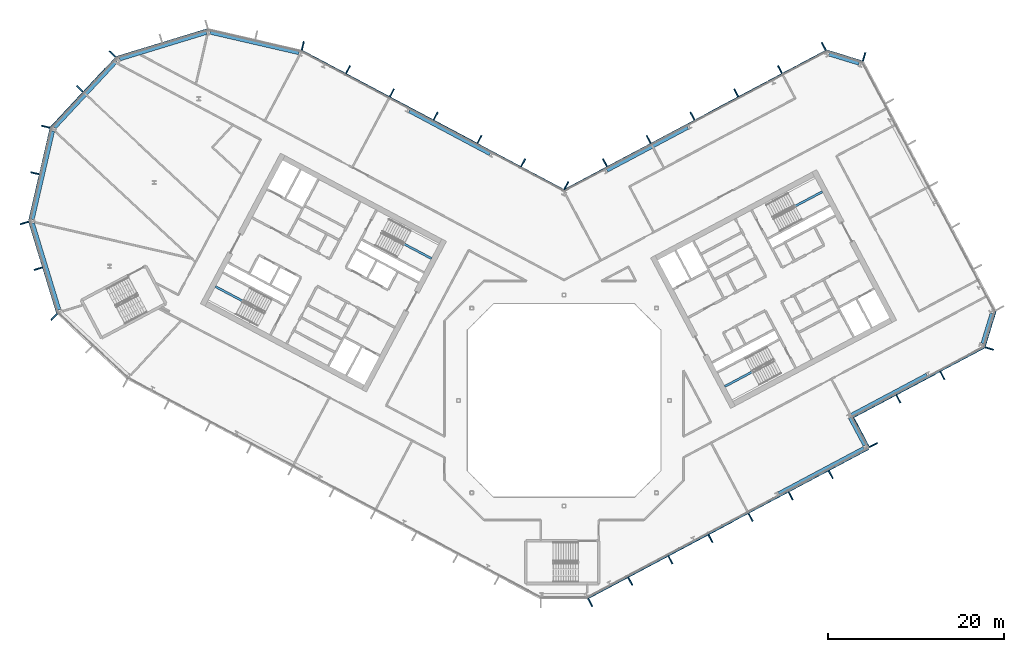
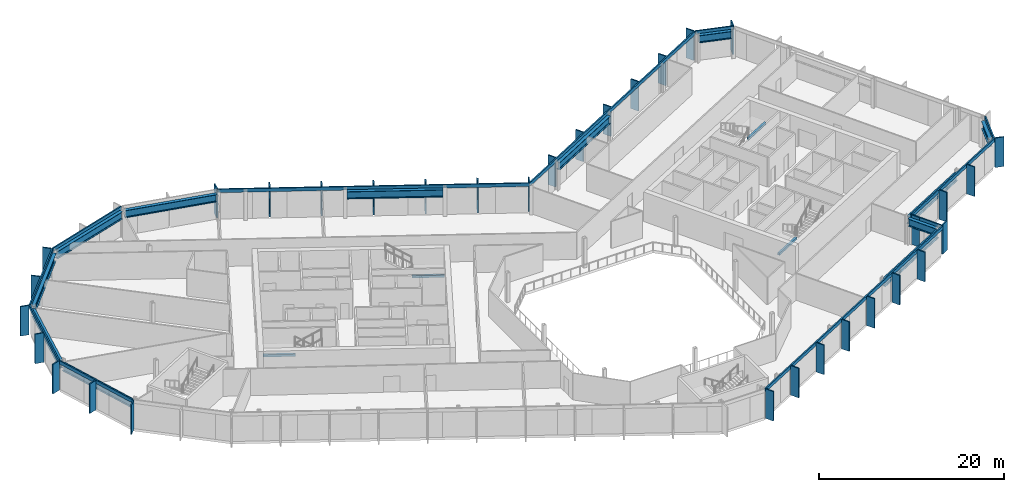
# One storey, part 9 of 27: 44 members, 16 beams, 13 elements without a shape of their own.
"""IFC4 building model written with IfcOpenShell, lengths in metres."""

from ifc_helpers import new_model, si_unit, direction, frame, origin, origin_2d, place, context, subcontext, project, spatial, rectangle, i_section, extrude, material, layer, layer_set, material_profile, profile_set, type_object, element, aggregate, save


model = new_model("IFC4")

# Units and contexts
model_context = context("Model", 3, precision=1e-05, world=origin(), true_north=direction((0.0, 1.0)))
body_context = subcontext(model_context, "Body", "Model", "MODEL_VIEW")
ifc_project = project(units=[si_unit("LENGTHUNIT", "METRE"), si_unit("AREAUNIT", "SQUARE_METRE"), si_unit("VOLUMEUNIT", "CUBIC_METRE"), si_unit("PLANEANGLEUNIT", "RADIAN"), si_unit("MASSUNIT", "GRAM", prefix="KILO")], contexts=[model_context])

# Site, building, storey
site_placement = place(None, origin())
site = spatial("IfcSite", under=ifc_project, at=site_placement, CompositionType="ELEMENT")
building_placement = place(site_placement, origin())
building = spatial("IfcBuilding", under=site, at=building_placement, Name="Cormorant Relay Tower", CompositionType="ELEMENT")
storey_placement = place(building_placement, frame((0.0, 0.0, 216.89990234375)))
storey = spatial("IfcBuildingStorey", under=building, at=storey_placement, Name="L47", CompositionType="ELEMENT", Elevation=216.89990234375)

# Curtain wall, members
ifc_material_1 = material(Name="Aluminium 6063-T6 anodised bronze", Category="aluminium")
ifc_layer = layer(ifc_material_1, 0.199951171875)
ifc_layer_set = layer_set([ifc_layer], Name="CW1 unitised bronze curtain wall with vertical fins")
curtain_wall_type = type_object("IfcCurtainWallType", Name="CW1 unitised bronze curtain wall with vertical fins", PredefinedType="NOTDEFINED", material=ifc_layer_set)
curtain_wall_1_placement = place(storey_placement, origin())
curtain_wall_1 = element("IfcCurtainWall", 1, at=curtain_wall_1_placement, inside=storey, type_object=curtain_wall_type, Name="CW1 curtain wall 2", PredefinedType="NOTDEFINED")
ifc_material_2 = material(Name="Aluminium 6063-T6 anodised bronze", Category="aluminium")
ifc_material_profile_1 = material_profile(ifc_material_2, rectangle(XDim=0.14990234375, YDim=1.0, at=origin_2d()), Name="AL 150x1000")
ifc_profile_set_1 = profile_set([ifc_material_profile_1], Name="Aluminium 6063-T6 anodised bronze")
member_type_1 = type_object("IfcMemberType", Name="CW1 bronze fin mullion 150 x 1000", PredefinedType="MULLION", material=ifc_profile_set_1)
member_1_placement = place(storey_placement, frame((2.9775390625, -22.99365234375, 0.0), z_axis=(0.0, 0.0, 1.0), x_axis=(0.882947592859, 0.469471562786, 0.0)))
member_1 = element("IfcMember", 2, at=member_1_placement, type_object=member_type_1, Name="CW1 fin 2.1", PredefinedType="MULLION", context=body_context, shape_type="SweptSolid", body=[
    extrude(rectangle(XDim=0.14990234375, YDim=1.0, at=origin_2d()), origin(), (0.0, 0.0, 1.0), 3.900146484375),
])
member_2_placement = place(storey_placement, frame((7.539306640625, -20.568115234375, 0.0), z_axis=(0.0, 0.0, 1.0), x_axis=(0.882947592859, 0.469471562786, 0.0)))
member_2 = element("IfcMember", 3, at=member_2_placement, type_object=member_type_1, Name="CW1 fin 2.2", PredefinedType="MULLION", context=body_context, shape_type="SweptSolid", body=[
    extrude(rectangle(XDim=0.14990234375, YDim=1.0, at=origin_2d()), origin(), (0.0, 0.0, 1.0), 3.900146484375),
])
member_3_placement = place(storey_placement, frame((12.10107421875, -18.142578125, 0.0), z_axis=(0.0, 0.0, 1.0), x_axis=(0.882947592859, 0.469471562786, 0.0)))
member_3 = element("IfcMember", 4, at=member_3_placement, type_object=member_type_1, Name="CW1 fin 2.3", PredefinedType="MULLION", context=body_context, shape_type="SweptSolid", body=[
    extrude(rectangle(XDim=0.14990234375, YDim=1.0, at=origin_2d()), origin(), (0.0, 0.0, 1.0), 3.900146484375),
])
member_4_placement = place(storey_placement, frame((16.662841796875, -15.717041015625, 0.0), z_axis=(0.0, 0.0, 1.0), x_axis=(0.882947592859, 0.469471562786, 0.0)))
member_4 = element("IfcMember", 5, at=member_4_placement, type_object=member_type_1, Name="CW1 fin 2.4", PredefinedType="MULLION", context=body_context, shape_type="SweptSolid", body=[
    extrude(rectangle(XDim=0.14990234375, YDim=1.0, at=origin_2d()), origin(), (0.0, 0.0, 1.0), 3.900146484375),
])
member_5_placement = place(storey_placement, frame((21.224609375, -13.29150390625, 0.0), z_axis=(0.0, 0.0, 1.0), x_axis=(0.882947592859, 0.469471562786, 0.0)))
member_5 = element("IfcMember", 6, at=member_5_placement, type_object=member_type_1, Name="CW1 fin 2.5", PredefinedType="MULLION", context=body_context, shape_type="SweptSolid", body=[
    extrude(rectangle(XDim=0.14990234375, YDim=1.0, at=origin_2d()), origin(), (0.0, 0.0, 1.0), 3.900146484375),
])
member_6_placement = place(storey_placement, frame((25.78662109375, -10.865966796875, 0.0), z_axis=(0.0, 0.0, 1.0), x_axis=(0.882947592859, 0.469471562786, 0.0)))
member_6 = element("IfcMember", 7, at=member_6_placement, type_object=member_type_1, Name="CW1 fin 2.6", PredefinedType="MULLION", context=body_context, shape_type="SweptSolid", body=[
    extrude(rectangle(XDim=0.14990234375, YDim=1.0, at=origin_2d()), origin(), (0.0, 0.0, 1.0), 3.900146484375),
])
member_7_placement = place(storey_placement, frame((30.348388671875, -8.440185546875, 0.0), z_axis=(0.0, 0.0, 1.0), x_axis=(0.882947592859, 0.469471562786, 0.0)))
member_7 = element("IfcMember", 8, at=member_7_placement, type_object=member_type_1, Name="CW1 fin 2.7", PredefinedType="MULLION", context=body_context, shape_type="SweptSolid", body=[
    extrude(rectangle(XDim=0.14990234375, YDim=1.0, at=origin_2d()), origin(), (0.0, 0.0, 1.0), 3.900146484375),
])

# Curtain wall, member
curtain_wall_2_placement = place(storey_placement, origin())
curtain_wall_2 = element("IfcCurtainWall", 9, at=curtain_wall_2_placement, inside=storey, type_object=curtain_wall_type, Name="CW1 curtain wall 3", PredefinedType="NOTDEFINED")
member_8_placement = place(storey_placement, frame((35.199462890625, -5.068115234375, 0.0), z_axis=(0.0, 0.0, 1.0), x_axis=(-0.469471562786, 0.882947592859, 0.0)))
member_8 = element("IfcMember", 10, at=member_8_placement, type_object=member_type_1, Name="CW1 fin 3.1", PredefinedType="MULLION", context=body_context, shape_type="SweptSolid", body=[
    extrude(rectangle(XDim=0.14990234375, YDim=1.0, at=origin_2d()), origin(), (0.0, 0.0, 1.0), 3.900146484375),
])

# Curtain wall, members
curtain_wall_3_placement = place(storey_placement, origin())
curtain_wall_3 = element("IfcCurtainWall", 11, at=curtain_wall_3_placement, inside=storey, type_object=curtain_wall_type, Name="CW1 curtain wall 4", PredefinedType="NOTDEFINED")
member_9_placement = place(storey_placement, frame((33.098388671875, -2.44775390625, 0.0), z_axis=(0.0, 0.0, 1.0), x_axis=(0.882947592859, 0.469471562786, 0.0)))
member_9 = element("IfcMember", 12, at=member_9_placement, type_object=member_type_1, Name="CW1 fin 4.1", PredefinedType="MULLION", context=body_context, shape_type="SweptSolid", body=[
    extrude(rectangle(XDim=0.14990234375, YDim=1.0, at=origin_2d()), origin(), (0.0, 0.0, 1.0), 3.900146484375),
])
member_10_placement = place(storey_placement, frame((38.035400390625, 0.177490234375, 0.0), z_axis=(0.0, 0.0, 1.0), x_axis=(0.882947592859, 0.469471562786, 0.0)))
member_10 = element("IfcMember", 13, at=member_10_placement, type_object=member_type_1, Name="CW1 fin 4.2", PredefinedType="MULLION", context=body_context, shape_type="SweptSolid", body=[
    extrude(rectangle(XDim=0.14990234375, YDim=1.0, at=origin_2d()), origin(), (0.0, 0.0, 1.0), 3.900146484375),
])
member_11_placement = place(storey_placement, frame((43.038818359375, 2.837646484375, 0.0), z_axis=(0.0, 0.0, 1.0), x_axis=(0.882947592859, 0.469471562786, 0.0)))
member_11 = element("IfcMember", 14, at=member_11_placement, type_object=member_type_1, Name="CW1 fin 4.3", PredefinedType="MULLION", context=body_context, shape_type="SweptSolid", body=[
    extrude(rectangle(XDim=0.14990234375, YDim=1.0, at=origin_2d()), origin(), (0.0, 0.0, 1.0), 3.900146484375),
])

# Curtain wall, member
curtain_wall_4_placement = place(storey_placement, origin())
curtain_wall_4 = element("IfcCurtainWall", 15, at=curtain_wall_4_placement, inside=storey, type_object=curtain_wall_type, Name="CW1 curtain wall 5", PredefinedType="NOTDEFINED")
member_12_placement = place(storey_placement, frame((48.383056640625, 5.91162109375, 0.0), z_axis=(0.0, 0.0, 1.0), x_axis=(0.292371704723, 0.956304755963, 0.0)))
member_12 = element("IfcMember", 16, at=member_12_placement, type_object=member_type_1, Name="CW1 fin 5.1", PredefinedType="MULLION", context=body_context, shape_type="SweptSolid", body=[
    extrude(rectangle(XDim=0.14990234375, YDim=1.0, at=origin_2d()), origin(), (0.0, 0.0, 1.0), 3.900146484375),
])

curtain_wall_5_placement = place(storey_placement, origin())
curtain_wall_5 = element("IfcCurtainWall", 17, at=curtain_wall_5_placement, inside=storey, type_object=curtain_wall_type, Name="CW1 curtain wall 7", PredefinedType="NOTDEFINED")
member_13_placement = place(storey_placement, frame((34.1357421875, 39.09716796875, 0.0), z_axis=(0.0, 0.0, 1.0), x_axis=(-0.956304755963, 0.292371704723, 0.0)))
member_13 = element("IfcMember", 18, at=member_13_placement, type_object=member_type_1, Name="CW1 fin 7.1", PredefinedType="MULLION", context=body_context, shape_type="SweptSolid", body=[
    extrude(rectangle(XDim=0.14990234375, YDim=1.0, at=origin_2d()), origin(), (0.0, 0.0, 1.0), 3.900146484375),
])

# Curtain wall, members
curtain_wall_6_placement = place(storey_placement, origin())
curtain_wall_6 = element("IfcCurtainWall", 19, at=curtain_wall_6_placement, inside=storey, type_object=curtain_wall_type, Name="CW1 curtain wall 8", PredefinedType="NOTDEFINED")
member_14_placement = place(storey_placement, frame((29.545166015625, 40.2861328125, 0.0), z_axis=(0.0, 0.0, 1.0), x_axis=(-0.882947592859, -0.469471562786, 0.0)))
member_14 = element("IfcMember", 20, at=member_14_placement, type_object=member_type_1, Name="CW1 fin 8.1", PredefinedType="MULLION", context=body_context, shape_type="SweptSolid", body=[
    extrude(rectangle(XDim=0.14990234375, YDim=1.0, at=origin_2d()), origin(), (0.0, 0.0, 1.0), 3.900146484375),
])
member_15_placement = place(storey_placement, frame((24.566162109375, 37.638916015625, 0.0), z_axis=(0.0, 0.0, 1.0), x_axis=(-0.882947592859, -0.469471562786, 0.0)))
member_15 = element("IfcMember", 21, at=member_15_placement, type_object=member_type_1, Name="CW1 fin 8.2", PredefinedType="MULLION", context=body_context, shape_type="SweptSolid", body=[
    extrude(rectangle(XDim=0.14990234375, YDim=1.0, at=origin_2d()), origin(), (0.0, 0.0, 1.0), 3.900146484375),
])
member_16_placement = place(storey_placement, frame((19.587158203125, 34.991455078125, 0.0), z_axis=(0.0, 0.0, 1.0), x_axis=(-0.882947592859, -0.469471562786, 0.0)))
member_16 = element("IfcMember", 22, at=member_16_placement, type_object=member_type_1, Name="CW1 fin 8.3", PredefinedType="MULLION", context=body_context, shape_type="SweptSolid", body=[
    extrude(rectangle(XDim=0.14990234375, YDim=1.0, at=origin_2d()), origin(), (0.0, 0.0, 1.0), 3.900146484375),
])
member_17_placement = place(storey_placement, frame((14.608154296875, 32.343994140625, 0.0), z_axis=(0.0, 0.0, 1.0), x_axis=(-0.882947592859, -0.469471562786, 0.0)))
member_17 = element("IfcMember", 23, at=member_17_placement, type_object=member_type_1, Name="CW1 fin 8.4", PredefinedType="MULLION", context=body_context, shape_type="SweptSolid", body=[
    extrude(rectangle(XDim=0.14990234375, YDim=1.0, at=origin_2d()), origin(), (0.0, 0.0, 1.0), 3.900146484375),
])
member_18_placement = place(storey_placement, frame((9.62939453125, 29.69677734375, 0.0), z_axis=(0.0, 0.0, 1.0), x_axis=(-0.882947592859, -0.469471562786, 0.0)))
member_18 = element("IfcMember", 24, at=member_18_placement, type_object=member_type_1, Name="CW1 fin 8.5", PredefinedType="MULLION", context=body_context, shape_type="SweptSolid", body=[
    extrude(rectangle(XDim=0.14990234375, YDim=1.0, at=origin_2d()), origin(), (0.0, 0.0, 1.0), 3.900146484375),
])
member_19_placement = place(storey_placement, frame((4.650390625, 27.04931640625, 0.0), z_axis=(0.0, 0.0, 1.0), x_axis=(-0.882947592859, -0.469471562786, 0.0)))
member_19 = element("IfcMember", 25, at=member_19_placement, type_object=member_type_1, Name="CW1 fin 8.6", PredefinedType="MULLION", context=body_context, shape_type="SweptSolid", body=[
    extrude(rectangle(XDim=0.14990234375, YDim=1.0, at=origin_2d()), origin(), (0.0, 0.0, 1.0), 3.900146484375),
])

curtain_wall_7_placement = place(storey_placement, origin())
curtain_wall_7 = element("IfcCurtainWall", 26, at=curtain_wall_7_placement, inside=storey, type_object=curtain_wall_type, Name="CW1 curtain wall 9", PredefinedType="NOTDEFINED")
member_20_placement = place(storey_placement, frame((0.262451171875, 24.437255859375, 0.0), z_axis=(0.0, 0.0, 1.0), x_axis=(-0.882947592859, 0.469471562786, 0.0)))
member_20 = element("IfcMember", 27, at=member_20_placement, type_object=member_type_1, Name="CW1 fin 9.1", PredefinedType="MULLION", context=body_context, shape_type="SweptSolid", body=[
    extrude(rectangle(XDim=0.14990234375, YDim=1.0, at=origin_2d()), origin(), (0.0, 0.0, 1.0), 3.900146484375),
])
member_21_placement = place(storey_placement, frame((-4.650390625, 27.04931640625, 0.0), z_axis=(0.0, 0.0, 1.0), x_axis=(-0.882947592859, 0.469471562786, 0.0)))
member_21 = element("IfcMember", 28, at=member_21_placement, type_object=member_type_1, Name="CW1 fin 9.2", PredefinedType="MULLION", context=body_context, shape_type="SweptSolid", body=[
    extrude(rectangle(XDim=0.14990234375, YDim=1.0, at=origin_2d()), origin(), (0.0, 0.0, 1.0), 3.900146484375),
])
member_22_placement = place(storey_placement, frame((-9.62939453125, 29.69677734375, 0.0), z_axis=(0.0, 0.0, 1.0), x_axis=(-0.882947592859, 0.469471562786, 0.0)))
member_22 = element("IfcMember", 29, at=member_22_placement, type_object=member_type_1, Name="CW1 fin 9.3", PredefinedType="MULLION", context=body_context, shape_type="SweptSolid", body=[
    extrude(rectangle(XDim=0.14990234375, YDim=1.0, at=origin_2d()), origin(), (0.0, 0.0, 1.0), 3.900146484375),
])
member_23_placement = place(storey_placement, frame((-14.608154296875, 32.343994140625, 0.0), z_axis=(0.0, 0.0, 1.0), x_axis=(-0.882947592859, 0.469471562786, 0.0)))
member_23 = element("IfcMember", 30, at=member_23_placement, type_object=member_type_1, Name="CW1 fin 9.4", PredefinedType="MULLION", context=body_context, shape_type="SweptSolid", body=[
    extrude(rectangle(XDim=0.14990234375, YDim=1.0, at=origin_2d()), origin(), (0.0, 0.0, 1.0), 3.900146484375),
])
member_24_placement = place(storey_placement, frame((-19.587158203125, 34.991455078125, 0.0), z_axis=(0.0, 0.0, 1.0), x_axis=(-0.882947592859, 0.469471562786, 0.0)))
member_24 = element("IfcMember", 31, at=member_24_placement, type_object=member_type_1, Name="CW1 fin 9.5", PredefinedType="MULLION", context=body_context, shape_type="SweptSolid", body=[
    extrude(rectangle(XDim=0.14990234375, YDim=1.0, at=origin_2d()), origin(), (0.0, 0.0, 1.0), 3.900146484375),
])
member_25_placement = place(storey_placement, frame((-24.566162109375, 37.638916015625, 0.0), z_axis=(0.0, 0.0, 1.0), x_axis=(-0.882947592859, 0.469471562786, 0.0)))
member_25 = element("IfcMember", 32, at=member_25_placement, type_object=member_type_1, Name="CW1 fin 9.6", PredefinedType="MULLION", context=body_context, shape_type="SweptSolid", body=[
    extrude(rectangle(XDim=0.14990234375, YDim=1.0, at=origin_2d()), origin(), (0.0, 0.0, 1.0), 3.900146484375),
])

# Curtain wall, member
curtain_wall_8_placement = place(storey_placement, origin())
curtain_wall_8 = element("IfcCurtainWall", 33, at=curtain_wall_8_placement, inside=storey, type_object=curtain_wall_type, Name="CW1 curtain wall 10", PredefinedType="NOTDEFINED")
member_26_placement = place(storey_placement, frame((-29.71630859375, 40.35009765625, 0.0), z_axis=(0.0, 0.0, 1.0), x_axis=(-0.974370064785, 0.224951054344, 0.0)))
member_26 = element("IfcMember", 34, at=member_26_placement, type_object=member_type_1, Name="CW1 fin 10.1", PredefinedType="MULLION", context=body_context, shape_type="SweptSolid", body=[
    extrude(rectangle(XDim=0.14990234375, YDim=1.0, at=origin_2d()), origin(), (0.0, 0.0, 1.0), 3.900146484375),
])
aggregate(curtain_wall_8, [member_26])

# Curtain wall, members
curtain_wall_9_placement = place(storey_placement, origin())
curtain_wall_9 = element("IfcCurtainWall", 35, at=curtain_wall_9_placement, inside=storey, type_object=curtain_wall_type, Name="CW1 curtain wall 12", PredefinedType="NOTDEFINED")
member_27_placement = place(storey_placement, frame((-51.372802734375, 39.41259765625, 0.0), z_axis=(0.0, 0.0, 1.0), x_axis=(-0.681998360062, -0.731353701619, 0.0)))
member_27 = element("IfcMember", 36, at=member_27_placement, type_object=member_type_1, Name="CW1 fin 12.1", PredefinedType="MULLION", context=body_context, shape_type="SweptSolid", body=[
    extrude(rectangle(XDim=0.14990234375, YDim=1.0, at=origin_2d()), origin(), (0.0, 0.0, 1.0), 3.900146484375),
])
member_28_placement = place(storey_placement, frame((-55.07958984375, 35.4375, 0.0), z_axis=(0.0, 0.0, 1.0), x_axis=(-0.681998360062, -0.731353701619, 0.0)))
member_28 = element("IfcMember", 37, at=member_28_placement, type_object=member_type_1, Name="CW1 fin 12.2", PredefinedType="MULLION", context=body_context, shape_type="SweptSolid", body=[
    extrude(rectangle(XDim=0.14990234375, YDim=1.0, at=origin_2d()), origin(), (0.0, 0.0, 1.0), 3.900146484375),
])

curtain_wall_10_placement = place(storey_placement, origin())
curtain_wall_10 = element("IfcCurtainWall", 38, at=curtain_wall_10_placement, inside=storey, type_object=curtain_wall_type, Name="CW1 curtain wall 13", PredefinedType="NOTDEFINED")
member_29_placement = place(storey_placement, frame((-58.95654296875, 31.142578125, 0.0), z_axis=(0.0, 0.0, 1.0), x_axis=(-0.224951054344, -0.974370064785, 0.0)))
member_29 = element("IfcMember", 39, at=member_29_placement, type_object=member_type_1, Name="CW1 fin 13.1", PredefinedType="MULLION", context=body_context, shape_type="SweptSolid", body=[
    extrude(rectangle(XDim=0.14990234375, YDim=1.0, at=origin_2d()), origin(), (0.0, 0.0, 1.0), 3.900146484375),
])
member_30_placement = place(storey_placement, frame((-60.17919921875, 25.8466796875, 0.0), z_axis=(0.0, 0.0, 1.0), x_axis=(-0.224951054344, -0.974370064785, 0.0)))
member_30 = element("IfcMember", 40, at=member_30_placement, type_object=member_type_1, Name="CW1 fin 13.2", PredefinedType="MULLION", context=body_context, shape_type="SweptSolid", body=[
    extrude(rectangle(XDim=0.14990234375, YDim=1.0, at=origin_2d()), origin(), (0.0, 0.0, 1.0), 3.900146484375),
])

curtain_wall_11_placement = place(storey_placement, origin())
curtain_wall_11 = element("IfcCurtainWall", 41, at=curtain_wall_11_placement, inside=storey, type_object=curtain_wall_type, Name="CW1 curtain wall 14", PredefinedType="NOTDEFINED")
member_31_placement = place(storey_placement, frame((-61.389404296875, 20.188720703125, 0.0), z_axis=(0.0, 0.0, 1.0), x_axis=(0.292371704723, -0.956304755963, 0.0)))
member_31 = element("IfcMember", 42, at=member_31_placement, type_object=member_type_1, Name="CW1 fin 14.1", PredefinedType="MULLION", context=body_context, shape_type="SweptSolid", body=[
    extrude(rectangle(XDim=0.14990234375, YDim=1.0, at=origin_2d()), origin(), (0.0, 0.0, 1.0), 3.900146484375),
])
member_32_placement = place(storey_placement, frame((-59.80029296875, 14.990966796875, 0.0), z_axis=(0.0, 0.0, 1.0), x_axis=(0.292371704723, -0.956304755963, 0.0)))
member_32 = element("IfcMember", 43, at=member_32_placement, type_object=member_type_1, Name="CW1 fin 14.2", PredefinedType="MULLION", context=body_context, shape_type="SweptSolid", body=[
    extrude(rectangle(XDim=0.14990234375, YDim=1.0, at=origin_2d()), origin(), (0.0, 0.0, 1.0), 3.900146484375),
])

# Curtain wall, member
curtain_wall_12_placement = place(storey_placement, origin())
curtain_wall_12 = element("IfcCurtainWall", 44, at=curtain_wall_12_placement, inside=storey, type_object=curtain_wall_type, Name="CW1 curtain wall 15", PredefinedType="NOTDEFINED")
member_33_placement = place(storey_placement, frame((-58.01904296875, 9.486083984375, 0.0), z_axis=(0.0, 0.0, 1.0), x_axis=(0.731353701619, -0.681998360062, 0.0)))
member_33 = element("IfcMember", 45, at=member_33_placement, type_object=member_type_1, Name="CW1 fin 15.1", PredefinedType="MULLION", context=body_context, shape_type="SweptSolid", body=[
    extrude(rectangle(XDim=0.14990234375, YDim=1.0, at=origin_2d()), origin(), (0.0, 0.0, 1.0), 3.900146484375),
])
aggregate(curtain_wall_12, [member_33])

# Member
ifc_material_3 = material(Name="Aluminium 6063-T6 anodised bronze", Category="aluminium")
ifc_material_profile_2 = material_profile(ifc_material_3, rectangle(XDim=0.159912109375, YDim=0.449951171875, at=origin_2d()), Name="AL 160x450")
ifc_profile_set_2 = profile_set([ifc_material_profile_2], Name="Aluminium 6063-T6 anodised bronze")
member_type_2 = type_object("IfcMemberType", Name="CW1 bronze transom 160 x 450", PredefinedType="USERDEFINED", material=ifc_profile_set_2)
member_34_placement = place(storey_placement, frame((2.705078125, -22.4814453125, 3.675048828125), z_axis=(0.882948899141, 0.469469106018, 0.0), x_axis=(-0.469469106018, 0.882948899141, 0.0)))
member_34 = element("IfcMember", 46, at=member_34_placement, type_object=member_type_2, Name="CW1 transom 2", ObjectType="TRANSOM", PredefinedType="USERDEFINED", context=body_context, shape_type="SweptSolid", body=[
    extrude(rectangle(XDim=0.159912109375, YDim=0.449951171875, at=origin_2d()), origin(), (0.0, 0.0, 1.0), 36.165771484375),
])

aggregate(curtain_wall_1, [member_1, member_2, member_3, member_4, member_5, member_6, member_7, member_34])

member_35_placement = place(storey_placement, frame((34.6875, -5.34033203125, 3.675048828125), z_axis=(-0.469485426614, 0.882940221191, 0.0), x_axis=(-0.882940221191, -0.469485426614, 0.0)))
member_35 = element("IfcMember", 47, at=member_35_placement, type_object=member_type_2, Name="CW1 transom 3", ObjectType="TRANSOM", PredefinedType="USERDEFINED", context=body_context, shape_type="SweptSolid", body=[
    extrude(rectangle(XDim=0.159912109375, YDim=0.449951171875, at=origin_2d()), origin(), (0.0, 0.0, 1.0), 4.0),
])

aggregate(curtain_wall_2, [member_8, member_35])

member_36_placement = place(storey_placement, frame((32.760009765625, -1.970947265625, 3.675048828125), z_axis=(0.882941803911, 0.469482450052, 0.0), x_axis=(-0.469482450052, 0.882941803911, 0.0)))
member_36 = element("IfcMember", 48, at=member_36_placement, type_object=member_type_2, Name="CW1 transom 4", ObjectType="TRANSOM", PredefinedType="USERDEFINED", context=body_context, shape_type="SweptSolid", body=[
    extrude(rectangle(XDim=0.159912109375, YDim=0.449951171875, at=origin_2d()), origin(), (0.0, 0.0, 1.0), 17.0),
])

aggregate(curtain_wall_3, [member_9, member_10, member_11, member_36])

member_37_placement = place(storey_placement, frame((47.828369140625, 6.0810546875, 3.675048828125), z_axis=(0.292391046905, 0.95629884225, 0.0), x_axis=(-0.95629884225, 0.292391046905, 0.0)))
member_37 = element("IfcMember", 49, at=member_37_placement, type_object=member_type_2, Name="CW1 transom 5", ObjectType="TRANSOM", PredefinedType="USERDEFINED", context=body_context, shape_type="SweptSolid", body=[
    extrude(rectangle(XDim=0.159912109375, YDim=0.449951171875, at=origin_2d()), origin(), (0.0, 0.0, 1.0), 4.242431640625),
])

aggregate(curtain_wall_4, [member_12, member_37])

member_38_placement = place(storey_placement, frame((33.966064453125, 38.54248046875, 3.675048828125), z_axis=(-0.956303761594, 0.292374957137, 0.0), x_axis=(-0.292374957137, -0.956303761594, 0.0)))
member_38 = element("IfcMember", 50, at=member_38_placement, type_object=member_type_2, Name="CW1 transom 7", ObjectType="TRANSOM", PredefinedType="USERDEFINED", context=body_context, shape_type="SweptSolid", body=[
    extrude(rectangle(XDim=0.159912109375, YDim=0.449951171875, at=origin_2d()), origin(), (0.0, 0.0, 1.0), 4.24267578125),
])

aggregate(curtain_wall_5, [member_13, member_38])

member_39_placement = place(storey_placement, frame((29.8173828125, 39.774169921875, 3.675048828125), z_axis=(-0.882946280328, -0.46947403129, 0.0), x_axis=(0.46947403129, -0.882946280328, 0.0)))
member_39 = element("IfcMember", 51, at=member_39_placement, type_object=member_type_2, Name="CW1 transom 8", ObjectType="TRANSOM", PredefinedType="USERDEFINED", context=body_context, shape_type="SweptSolid", body=[
    extrude(rectangle(XDim=0.159912109375, YDim=0.449951171875, at=origin_2d()), origin(), (0.0, 0.0, 1.0), 33.834228515625),
])

aggregate(curtain_wall_6, [member_14, member_15, member_16, member_17, member_18, member_19, member_39])

member_40_placement = place(storey_placement, frame((0.056396484375, 23.889892578125, 3.675048828125), z_axis=(-0.882946280328, 0.46947403129, 0.0), x_axis=(-0.46947403129, -0.882946280328, 0.0)))
member_40 = element("IfcMember", 52, at=member_40_placement, type_object=member_type_2, Name="CW1 transom 9", ObjectType="TRANSOM", PredefinedType="USERDEFINED", context=body_context, shape_type="SweptSolid", body=[
    extrude(rectangle(XDim=0.159912109375, YDim=0.449951171875, at=origin_2d()), origin(), (0.0, 0.0, 1.0), 33.834228515625),
])

aggregate(curtain_wall_7, [member_20, member_21, member_22, member_23, member_24, member_25, member_40])

# Curtain wall, member
curtain_wall_13_placement = place(storey_placement, origin())
curtain_wall_13 = element("IfcCurtainWall", 53, at=curtain_wall_13_placement, inside=storey, type_object=curtain_wall_type, Name="CW1 curtain wall 11", PredefinedType="NOTDEFINED")
member_41_placement = place(storey_placement, frame((-40.50048828125, 42.228271484375, 3.675048828125), z_axis=(-0.956304833932, -0.292371449698, 0.0), x_axis=(0.292371449698, -0.956304833932, 0.0)))
member_41 = element("IfcMember", 54, at=member_41_placement, type_object=member_type_2, Name="CW1 transom 11", ObjectType="TRANSOM", PredefinedType="USERDEFINED", context=body_context, shape_type="SweptSolid", body=[
    extrude(rectangle(XDim=0.159912109375, YDim=0.449951171875, at=origin_2d()), origin(), (0.0, 0.0, 1.0), 10.87060546875),
])
aggregate(curtain_wall_13, [member_41])

# Member
member_42_placement = place(storey_placement, frame((-50.94873046875, 39.01708984375, 3.675048828125), z_axis=(-0.681993299437, -0.731358420696, 0.0), x_axis=(0.731358420696, -0.681993299437, 0.0)))
member_42 = element("IfcMember", 55, at=member_42_placement, type_object=member_type_2, Name="CW1 transom 12", ObjectType="TRANSOM", PredefinedType="USERDEFINED", context=body_context, shape_type="SweptSolid", body=[
    extrude(rectangle(XDim=0.159912109375, YDim=0.449951171875, at=origin_2d()), origin(), (0.0, 0.0, 1.0), 10.870361328125),
])

aggregate(curtain_wall_9, [member_27, member_28, member_42])

member_43_placement = place(storey_placement, frame((-58.3916015625, 31.01220703125, 3.675048828125), z_axis=(-0.22495136131, -0.974369993916, 0.0), x_axis=(0.974369993916, -0.22495136131, 0.0)))
member_43 = element("IfcMember", 56, at=member_43_placement, type_object=member_type_2, Name="CW1 transom 13", ObjectType="TRANSOM", PredefinedType="USERDEFINED", context=body_context, shape_type="SweptSolid", body=[
    extrude(rectangle(XDim=0.159912109375, YDim=0.449951171875, at=origin_2d()), origin(), (0.0, 0.0, 1.0), 10.870361328125),
])

aggregate(curtain_wall_10, [member_29, member_30, member_43])

member_44_placement = place(storey_placement, frame((-60.834716796875, 20.358154296875, 3.675048828125), z_axis=(0.292377729282, -0.95630291405, 0.0), x_axis=(0.95630291405, 0.292377729282, 0.0)))
member_44 = element("IfcMember", 57, at=member_44_placement, type_object=member_type_2, Name="CW1 transom 14", ObjectType="TRANSOM", PredefinedType="USERDEFINED", context=body_context, shape_type="SweptSolid", body=[
    extrude(rectangle(XDim=0.159912109375, YDim=0.449951171875, at=origin_2d()), origin(), (0.0, 0.0, 1.0), 10.870361328125),
])

aggregate(curtain_wall_11, [member_31, member_32, member_44])

# Beams
ifc_material_4 = material(Name="Steel ASTM A992 (Fy 345 MPa)", Category="steel")
ifc_material_profile_3 = material_profile(ifc_material_4, i_section(OverallWidth=0.4013671875, OverallDepth=0.990478515625, WebThickness=0.0166015625, FlangeThickness=0.031005859375, FilletRadius=0.030029296875, at=origin_2d()), Name="W1000x320")
ifc_profile_set_3 = profile_set([ifc_material_profile_3], Name="Steel ASTM A992 (Fy 345 MPa)")
beam_type_1 = type_object("IfcBeamType", Name="Spandrel W1000x320", PredefinedType="SPANDREL", material=ifc_profile_set_3)
beam_1_placement = place(storey_placement, frame((24.423583984375, -10.5703125, 3.044677734375), z_axis=(0.882952735253, 0.469461891221, 0.0), x_axis=(-0.469461891221, 0.882952735253, 0.0)))
element("IfcBeam", 58, at=beam_1_placement, inside=storey, type_object=beam_type_1, Name="Spandrel beam L47-002", PredefinedType="SPANDREL", context=body_context, shape_type="SweptSolid", body=[
    extrude(i_section(OverallWidth=0.4013671875, OverallDepth=0.990478515625, WebThickness=0.0166015625, FlangeThickness=0.031005859375, FilletRadius=0.030029296875, at=origin_2d()), origin(), (0.0, 0.0, 1.0), 10.96142578125),
])
beam_2_placement = place(storey_placement, frame((34.20458984375, -5.115478515625, 3.044677734375), z_axis=(-0.469423552529, 0.882973118691, 0.0), x_axis=(-0.882973118691, -0.469423552529, 0.0)))
element("IfcBeam", 59, at=beam_2_placement, inside=storey, type_object=beam_type_1, Name="Spandrel beam L47-003", PredefinedType="SPANDREL", context=body_context, shape_type="SweptSolid", body=[
    extrude(i_section(OverallWidth=0.4013671875, OverallDepth=0.990478515625, WebThickness=0.0166015625, FlangeThickness=0.031005859375, FilletRadius=0.030029296875, at=origin_2d()), origin(), (0.0, 0.0, 1.0), 3.56982421875),
])
beam_3_placement = place(storey_placement, frame((32.609375, -1.687744140625, 3.044677734375), z_axis=(0.882948215634, 0.469470391515, 0.0), x_axis=(-0.469470391515, 0.882948215634, 0.0)))
element("IfcBeam", 60, at=beam_3_placement, inside=storey, type_object=beam_type_1, Name="Spandrel beam L47-004", PredefinedType="SPANDREL", context=body_context, shape_type="SweptSolid", body=[
    extrude(i_section(OverallWidth=0.4013671875, OverallDepth=0.990478515625, WebThickness=0.0166015625, FlangeThickness=0.031005859375, FilletRadius=0.030029296875, at=origin_2d()), origin(), (0.0, 0.0, 1.0), 9.79736328125),
])
for number, where, z_axis, x_axis, name in (
    (61, (47.618896484375, 6.4921875, 3.044677734375), (0.292349563537, 0.956311524923, 0.0), (-0.956311524923, 0.292349563537, 0.0), "Spandrel beam L47-005"),
    (62, (33.5546875, 38.3330078125, 3.044677734375), (-0.956311524923, 0.292349563537, 0.0), (-0.292349563537, -0.956311524923, 0.0), "Spandrel beam L47-007"),
):
    element("IfcBeam", number, at=place(storey_placement, frame(where, z_axis=z_axis, x_axis=x_axis)), inside=storey, type_object=beam_type_1, Name=name, PredefinedType="SPANDREL", context=body_context, shape_type="SweptSolid", body=[
        extrude(i_section(OverallWidth=0.4013671875, OverallDepth=0.990478515625, WebThickness=0.0166015625, FlangeThickness=0.031005859375, FilletRadius=0.030029296875, at=origin_2d()), origin(), (0.0, 0.0, 1.0), 3.59765625),
    ])
for number, where, z_axis, x_axis, name in (
    (63, (14.0732421875, 31.03955078125, 3.044677734375), (-0.882949648898, -0.469467695918, 0.0), (0.469467695918, -0.882949648898, 0.0), "Spandrel beam L47-008"),
    (64, (-8.426025390625, 28.036865234375, 3.044677734375), (-0.882949648898, 0.469467695918, 0.0), (-0.469467695918, -0.882949648898, 0.0), "Spandrel beam L47-009"),
):
    element("IfcBeam", number, at=place(storey_placement, frame(where, z_axis=z_axis, x_axis=x_axis)), inside=storey, type_object=beam_type_1, Name=name, PredefinedType="SPANDREL", context=body_context, shape_type="SweptSolid", body=[
        extrude(i_section(OverallWidth=0.4013671875, OverallDepth=0.990478515625, WebThickness=0.0166015625, FlangeThickness=0.031005859375, FilletRadius=0.030029296875, at=origin_2d()), origin(), (0.0, 0.0, 1.0), 10.39599609375),
    ])
beam_4_placement = place(storey_placement, frame((-30.1533203125, 39.526611328125, 3.044677734375), z_axis=(-0.97436619016, 0.22496783653, 0.0), x_axis=(-0.22496783653, -0.97436619016, 0.0)))
element("IfcBeam", 65, at=beam_4_placement, inside=storey, type_object=beam_type_1, Name="Spandrel beam L47-010", PredefinedType="SPANDREL", context=body_context, shape_type="SweptSolid", body=[
    extrude(i_section(OverallWidth=0.4013671875, OverallDepth=0.990478515625, WebThickness=0.0166015625, FlangeThickness=0.031005859375, FilletRadius=0.030029296875, at=origin_2d()), origin(), (0.0, 0.0, 1.0), 10.369384765625),
])
beam_5_placement = place(storey_placement, frame((-40.680419921875, 41.837890625, 3.044677734375), z_axis=(-0.956303094801, -0.292377138084, 0.0), x_axis=(0.292377138084, -0.956303094801, 0.0)))
element("IfcBeam", 66, at=beam_5_placement, inside=storey, type_object=beam_type_1, Name="Spandrel beam L47-011", PredefinedType="SPANDREL", context=body_context, shape_type="SweptSolid", body=[
    extrude(i_section(OverallWidth=0.4013671875, OverallDepth=0.990478515625, WebThickness=0.0166015625, FlangeThickness=0.031005859375, FilletRadius=0.030029296875, at=origin_2d()), origin(), (0.0, 0.0, 1.0), 10.32421875),
])
beam_6_placement = place(storey_placement, frame((-50.90966796875, 38.5888671875, 3.044677734375), z_axis=(-0.681996285296, -0.731355636365, 0.0), x_axis=(0.731355636365, -0.681996285296, 0.0)))
element("IfcBeam", 67, at=beam_6_placement, inside=storey, type_object=beam_type_1, Name="Spandrel beam L47-012", PredefinedType="SPANDREL", context=body_context, shape_type="SweptSolid", body=[
    extrude(i_section(OverallWidth=0.4013671875, OverallDepth=0.990478515625, WebThickness=0.0166015625, FlangeThickness=0.031005859375, FilletRadius=0.030029296875, at=origin_2d()), origin(), (0.0, 0.0, 1.0), 10.32275390625),
])
beam_7_placement = place(storey_placement, frame((-58.143310546875, 30.66162109375, 3.044677734375), z_axis=(-0.224957947919, -0.974368473252, 0.0), x_axis=(0.974368473252, -0.224957947919, 0.0)))
element("IfcBeam", 68, at=beam_7_placement, inside=storey, type_object=beam_type_1, Name="Spandrel beam L47-013", PredefinedType="SPANDREL", context=body_context, shape_type="SweptSolid", body=[
    extrude(i_section(OverallWidth=0.4013671875, OverallDepth=0.990478515625, WebThickness=0.0166015625, FlangeThickness=0.031005859375, FilletRadius=0.030029296875, at=origin_2d()), origin(), (0.0, 0.0, 1.0), 10.32421875),
])
beam_8_placement = place(storey_placement, frame((-60.4443359375, 20.178466796875, 3.044677734375), z_axis=(0.29236873538, -0.956305663777, 0.0), x_axis=(0.956305663777, 0.29236873538, 0.0)))
element("IfcBeam", 69, at=beam_8_placement, inside=storey, type_object=beam_type_1, Name="Spandrel beam L47-014", PredefinedType="SPANDREL", context=body_context, shape_type="SweptSolid", body=[
    extrude(i_section(OverallWidth=0.4013671875, OverallDepth=0.990478515625, WebThickness=0.0166015625, FlangeThickness=0.031005859375, FilletRadius=0.030029296875, at=origin_2d()), origin(), (0.0, 0.0, 1.0), 10.32373046875),
])
ifc_material_5 = material(Name="Concrete 50 MPa", Category="concrete")
ifc_material_profile_4 = material_profile(ifc_material_5, rectangle(XDim=0.25, YDim=0.300048828125, at=origin_2d()), Name="RC 250x300")
ifc_profile_set_4 = profile_set([ifc_material_profile_4], Name="Concrete 50 MPa")
beam_type_2 = type_object("IfcBeamType", Name="Stair landing ledge beam 250x300", PredefinedType="BEAM", material=ifc_profile_set_4)
beam_9_placement = place(storey_placement, frame((-18.219482421875, 17.813720703125, 1.60009765625), z_axis=(0.882950035608, -0.469466968614, 0.0), x_axis=(0.469466968614, 0.882950035608, 0.0)))
element("IfcBeam", 70, at=beam_9_placement, inside=storey, type_object=beam_type_2, Name="A1 landing ledge beam", PredefinedType="BEAM", context=body_context, shape_type="SweptSolid", body=[
    extrude(rectangle(XDim=0.25, YDim=0.300048828125, at=origin_2d()), origin(), (0.0, 0.0, 1.0), 3.5498046875),
])
for number, where, z_axis, x_axis, name in (
    (71, (-36.523193359375, 11.29345703125, 1.60009765625), (-0.88293668587, 0.469492075273, 0.0), (-0.469492075273, -0.88293668587, 0.0), "A2 landing ledge beam"),
    (72, (21.4248046875, 3.265380859375, 1.60009765625), (-0.88296519247, -0.469438461235, 0.0), (0.469438461235, -0.88296519247, 0.0), "B1 landing ledge beam"),
    (73, (26.25439453125, 22.0859375, 1.60009765625), (0.88296519247, 0.469438461235, 0.0), (-0.469438461235, 0.88296519247, 0.0), "B2 landing ledge beam"),
):
    element("IfcBeam", number, at=place(storey_placement, frame(where, z_axis=z_axis, x_axis=x_axis)), inside=storey, type_object=beam_type_2, Name=name, PredefinedType="BEAM", context=body_context, shape_type="SweptSolid", body=[
        extrude(rectangle(XDim=0.25, YDim=0.300048828125, at=origin_2d()), origin(), (0.0, 0.0, 1.0), 3.550048828125),
    ])

save(model, "model.ifc")
